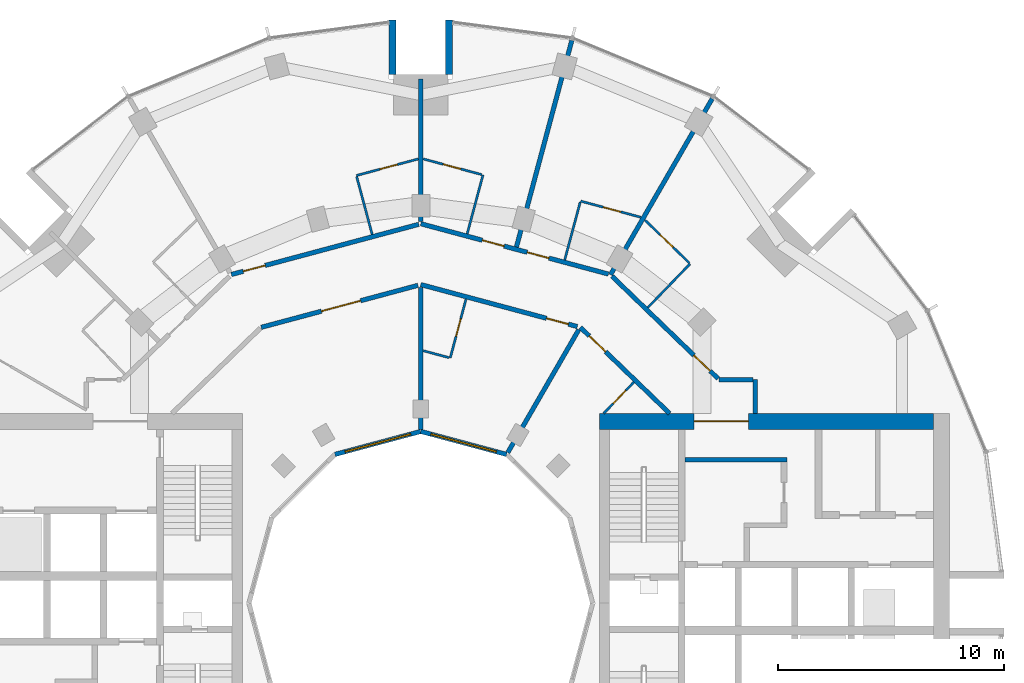
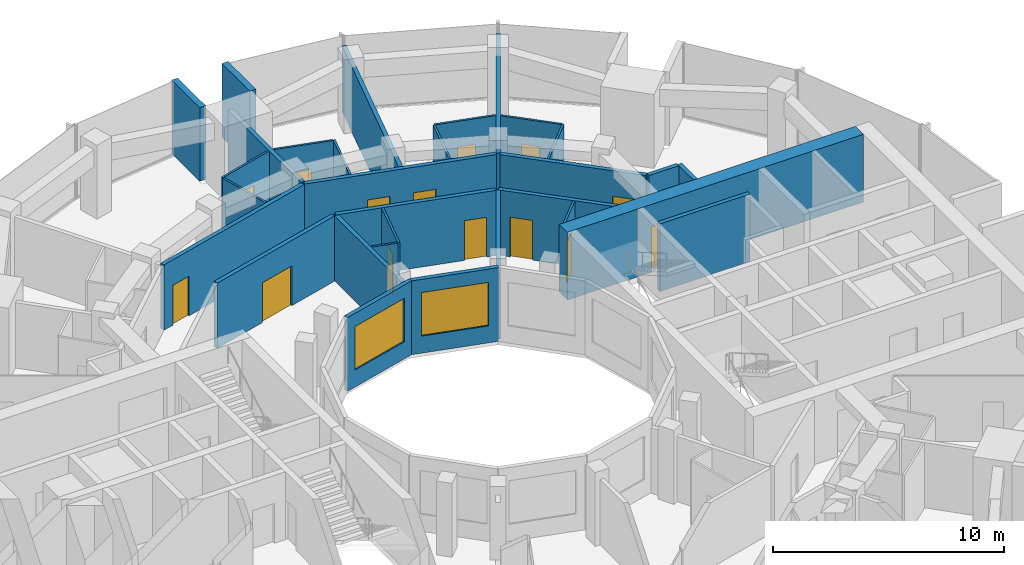
# One storey, part 12 of 15: 30 walls, 14 doors, 2 windows, 16 openings.
"""IFC4 building model written with IfcOpenShell, lengths in metres."""

from ifc_helpers import new_model, si_unit, direction, frame, frame_2d, origin, place, context, subcontext, project, spatial, rectangle, extrude, material, layer, layer_set, type_object, element, fill, save


model = new_model("IFC4")

# Units and contexts
model_context = context("Model", 3, precision=1e-05, world=origin(), true_north=direction((0.0, 1.0)))
body_context = subcontext(model_context, "Body", "Model", "MODEL_VIEW")
ifc_project = project(units=[si_unit("LENGTHUNIT", "METRE"), si_unit("AREAUNIT", "SQUARE_METRE"), si_unit("VOLUMEUNIT", "CUBIC_METRE"), si_unit("PLANEANGLEUNIT", "RADIAN"), si_unit("MASSUNIT", "GRAM", prefix="KILO")], contexts=[model_context])

# Site, building, storey
site_placement = place(None, origin())
site = spatial("IfcSite", under=ifc_project, at=site_placement, CompositionType="ELEMENT")
building_placement = place(site_placement, origin())
building = spatial("IfcBuilding", under=site, at=building_placement, Name="Torre Brocal", CompositionType="ELEMENT")
storey_placement = place(building_placement, frame((0.0, 0.0, 122.39990234375)))
storey = spatial("IfcBuildingStorey", under=building, at=storey_placement, Name="L28", CompositionType="ELEMENT", Elevation=122.39990234375)

# Wall
ifc_material_1 = material(Name="Concrete C70", Category="concrete")
ifc_layer_1 = layer(ifc_material_1, 0.199951171875)
ifc_layer_set_1 = layer_set([ifc_layer_1], Name="Concrete C70")
wall_type_1 = type_object("IfcWallType", Name="CORE WALL 200 C70", PredefinedType="SHEAR", material=ifc_layer_set_1)
wall_1_placement = place(storey_placement, frame((91.699951171875, 81.35009765625, 0.0), z_axis=(0.0, 0.0, 1.0), x_axis=(1.0, 0.0, 0.0)))
element("IfcWall", 1, at=wall_1_placement, inside=storey, type_object=wall_type_1, Name="Wall CW200-70", PredefinedType="SHEAR", context=body_context, shape_type="SweptSolid", body=[
    extrude(rectangle(XDim=4.5, YDim=0.199951171875, at=frame_2d((2.25, 0.0))), origin(), (0.0, 0.0, 1.0), 3.580078125),
])

# Wall, opening, door
ifc_material_2 = material(Name="Concrete C70", Category="concrete")
ifc_layer_2 = layer(ifc_material_2, 0.699951171875)
ifc_layer_set_2 = layer_set([ifc_layer_2], Name="Concrete C70")
wall_type_2 = type_object("IfcWallType", Name="CORE WALL 700 C70", PredefinedType="SHEAR", material=ifc_layer_set_2)
wall_2_placement = place(storey_placement, frame((87.89990234375, 83.050048828125, 0.0), z_axis=(0.0, 0.0, 1.0), x_axis=(1.0, 0.0, 0.0)))
wall_2 = element("IfcWall", 2, at=wall_2_placement, inside=storey, type_object=wall_type_2, Name="Wall CW700-70", PredefinedType="SHEAR", context=body_context, shape_type="SweptSolid", body=[
    extrude(rectangle(XDim=14.800048828125, YDim=0.699951171875, at=frame_2d((7.39990234375, 0.0))), origin(), (0.0, 0.0, 1.0), 3.580078125),
])
opening_1_placement = place(wall_2_placement, frame((4.199951171875, 0.0, 0.0)))
opening_1 = element("IfcOpeningElement", 3, at=opening_1_placement, cuts=wall_2, Name="Opening E-D24", PredefinedType="OPENING", context=body_context, shape_type="SweptSolid", body=[
    extrude(rectangle(XDim=2.39990234375, YDim=2.39990234375, at=frame_2d((1.199951171875, 1.199951171875))), frame((0.0, 0.35986328125, 0.0), z_axis=(0.0, -1.0, 0.0), x_axis=(1.0, 0.0, 0.0)), (0.0, 0.0, 1.0), 0.719970703125),
])
ifc_material_3 = material(Name="Steel A653", Category="steel")
door_type_1 = type_object("IfcDoorType", Name="DOUBLE FIRE DOOR FD90 2400X2400", OperationType="DOUBLE_DOOR_SINGLE_SWING", PredefinedType="DOOR", material=ifc_material_3)
door_1_placement = place(opening_1_placement, frame((2.39990234375, 0.0, 0.0), z_axis=(0.0, 0.0, 1.0), x_axis=(-1.0, 0.0, 0.0)))
door_1 = element("IfcDoor", 4, at=door_1_placement, inside=storey, type_object=door_type_1, Name="Door E-D24", OperationType="DOUBLE_DOOR_SINGLE_SWING", OverallHeight=2.39990234375, OverallWidth=2.39990234375, PredefinedType="DOOR", context=body_context, shape_type="SweptSolid", body=[
    extrude(rectangle(XDim=2.39990234375, YDim=2.39990234375, at=frame_2d((1.199951171875, 1.199951171875))), frame((0.0, 0.02490234375, 0.0), z_axis=(0.0, -1.0, 0.0), x_axis=(1.0, 0.0, 0.0)), (0.0, 0.0, 1.0), 0.050048828125),
])
fill(opening_1, door_1)

# Walls
ifc_material_4 = material(Name="Concrete C70", Category="concrete")
ifc_layer_3 = layer(ifc_material_4, 0.300048828125)
ifc_layer_set_3 = layer_set([ifc_layer_3], Name="Concrete C70")
wall_type_3 = type_object("IfcWallType", Name="NOTCH RETURN WALL 300 C70", PredefinedType="NOTDEFINED", material=ifc_layer_set_3)
for number, where, z_axis, x_axis, name in (
    (5, (81.25, 98.39990234375, 0.0), (0.0, 0.0, 1.0), (0.0, 1.0, 0.0), "NOTCH RETURN WALL"),
    (6, (78.75, 98.39990234375, 0.0), (0.0, 0.0, 1.0), (0.0, 1.0, 0.0), "NOTCH RETURN WALL"),
):
    element("IfcWall", number, at=place(storey_placement, frame(where, z_axis=z_axis, x_axis=x_axis)), inside=storey, type_object=wall_type_3, Name=name, PredefinedType="NOTDEFINED", context=body_context, shape_type="SweptSolid", body=[
        extrude(rectangle(XDim=2.415771484375, YDim=0.300048828125, at=frame_2d((1.2080078125, 0.0))), origin(), (0.0, 0.0, 1.0), 3.900146484375),
    ])
ifc_material_5 = material(Name="Gypsum board", Category="Gypsum")
ifc_layer_4 = layer(ifc_material_5, 0.10009765625)
ifc_layer_set_4 = layer_set([ifc_layer_4], Name="Gypsum board")
wall_type_4 = type_object("IfcWallType", Name="PARTITION 100", PredefinedType="PARTITIONING", material=ifc_layer_set_4)
wall_3_placement = place(storey_placement, frame((77.161865234375, 93.8828125, 0.0), z_axis=(0.0, 0.0, 1.0), x_axis=(0.258998589493, -0.965877699629, 0.0)))
element("IfcWall", 7, at=wall_3_placement, inside=storey, type_object=wall_type_4, Name="BATHROOM WALL", PredefinedType="PARTITIONING", context=body_context, shape_type="SweptSolid", body=[
    extrude(rectangle(XDim=2.649658203125, YDim=0.10009765625, at=frame_2d((1.32470703125, 0.0))), origin(), (0.0, 0.0, 1.0), 3.4501953125),
])

# Wall, opening, door
wall_4_placement = place(storey_placement, frame((77.14892578125, 93.930908203125, 0.0), z_axis=(0.0, 0.0, 1.0), x_axis=(0.965916219953, 0.258854893776, 0.0)))
wall_4 = element("IfcWall", 8, at=wall_4_placement, inside=storey, type_object=wall_type_4, Name="BATHROOM WALL", PredefinedType="PARTITIONING", context=body_context, shape_type="SweptSolid", body=[
    extrude(rectangle(XDim=2.841796875, YDim=0.10009765625, at=frame_2d((1.4208984375, 0.0))), origin(), (0.0, 0.0, 1.0), 3.4501953125),
])
opening_2_placement = place(wall_4_placement, frame((1.07568359375, 0.0, 0.0)))
opening_2 = element("IfcOpeningElement", 9, at=opening_2_placement, cuts=wall_4, Name="Opening E01-D08", PredefinedType="OPENING", context=body_context, shape_type="SweptSolid", body=[
    extrude(rectangle(XDim=0.800048828125, YDim=2.10009765625, at=frame_2d((0.39990234375, 1.050048828125))), frame((0.0, 0.06005859375, 0.0), z_axis=(0.0, -1.0, 0.0), x_axis=(1.0, 0.0, 0.0)), (0.0, 0.0, 1.0), 0.1201171875),
])
ifc_material_6 = material(Name="Timber", Category="wood")
door_type_2 = type_object("IfcDoorType", Name="BATHROOM DOOR 800X2100", OperationType="SINGLE_SWING_LEFT", PredefinedType="DOOR", material=ifc_material_6)
door_2_placement = place(opening_2_placement, frame((0.800048828125, 0.0, 0.0), z_axis=(0.0, 0.0, 1.0), x_axis=(-1.0, 0.0, 0.0)))
door_2 = element("IfcDoor", 10, at=door_2_placement, inside=storey, type_object=door_type_2, Name="E01-D08", OperationType="SINGLE_SWING_LEFT", OverallHeight=2.10009765625, OverallWidth=0.800048828125, PredefinedType="DOOR", context=body_context, shape_type="SweptSolid", body=[
    extrude(rectangle(XDim=0.800048828125, YDim=2.10009765625, at=frame_2d((0.39990234375, 1.050048828125))), frame((0.0, 0.02490234375, 0.0), z_axis=(0.0, -1.0, 0.0), x_axis=(1.0, 0.0, 0.0)), (0.0, 0.0, 1.0), 0.050048828125),
])
fill(opening_2, door_2)

# Wall
wall_5_placement = place(storey_placement, frame((80.106201171875, 86.176513671875, 0.0), z_axis=(0.0, 0.0, 1.0), x_axis=(0.966002973184, -0.258530957139, 0.0)))
element("IfcWall", 11, at=wall_5_placement, inside=storey, type_object=wall_type_4, Name="BATHROOM WALL", PredefinedType="PARTITIONING", context=body_context, shape_type="SweptSolid", body=[
    extrude(rectangle(XDim=1.18994140625, YDim=0.10009765625, at=frame_2d((0.594970703125, 0.0))), origin(), (0.0, 0.0, 1.0), 3.4501953125),
])

# Wall, opening, door
wall_6_placement = place(storey_placement, frame((80.106201171875, 94.666748046875, 0.0), z_axis=(0.0, 0.0, 1.0), x_axis=(0.965904298007, -0.258899376382, 0.0)))
wall_6 = element("IfcWall", 12, at=wall_6_placement, inside=storey, type_object=wall_type_4, Name="BATHROOM WALL", PredefinedType="PARTITIONING", context=body_context, shape_type="SweptSolid", body=[
    extrude(rectangle(XDim=2.6904296875, YDim=0.10009765625, at=frame_2d((1.34521484375, 0.0))), origin(), (0.0, 0.0, 1.0), 3.4501953125),
])
opening_3_placement = place(wall_6_placement, frame((0.9150390625, 0.0, 0.0)))
opening_3 = element("IfcOpeningElement", 13, at=opening_3_placement, cuts=wall_6, Name="Opening E01-D06", PredefinedType="OPENING", context=body_context, shape_type="SweptSolid", body=[
    extrude(rectangle(XDim=0.800048828125, YDim=2.10009765625, at=frame_2d((0.39990234375, 1.050048828125))), frame((0.0, 0.06005859375, 0.0), z_axis=(0.0, -1.0, 0.0), x_axis=(1.0, 0.0, 0.0)), (0.0, 0.0, 1.0), 0.1201171875),
])
door_3_placement = place(opening_3_placement, frame((0.800048828125, 0.0, 0.0), z_axis=(0.0, 0.0, 1.0), x_axis=(-1.0, 0.0, 0.0)))
door_3 = element("IfcDoor", 14, at=door_3_placement, inside=storey, type_object=door_type_2, Name="E01-D06", OperationType="SINGLE_SWING_RIGHT", OverallHeight=2.10009765625, OverallWidth=0.800048828125, PredefinedType="DOOR", context=body_context, shape_type="SweptSolid", body=[
    extrude(rectangle(XDim=0.800048828125, YDim=2.10009765625, at=frame_2d((0.39990234375, 1.050048828125))), frame((0.0, 0.02490234375, 0.0), z_axis=(0.0, -1.0, 0.0), x_axis=(1.0, 0.0, 0.0)), (0.0, 0.0, 1.0), 0.050048828125),
])
fill(opening_3, door_3)

wall_7_placement = place(storey_placement, frame((81.303955078125, 85.85595703125, 0.0), z_axis=(0.0, 0.0, 1.0), x_axis=(0.25867580527, 0.965964195904, 0.0)))
wall_7 = element("IfcWall", 15, at=wall_7_placement, inside=storey, type_object=wall_type_4, Name="BATHROOM WALL", PredefinedType="PARTITIONING", context=body_context, shape_type="SweptSolid", body=[
    extrude(rectangle(XDim=2.69921875, YDim=0.10009765625, at=frame_2d((1.349609375, 0.0))), origin(), (0.0, 0.0, 1.0), 3.4501953125),
])
opening_4_placement = place(wall_7_placement, frame((0.99951171875, 0.0, 0.0)))
opening_4 = element("IfcOpeningElement", 16, at=opening_4_placement, cuts=wall_7, Name="Opening E01-D17", PredefinedType="OPENING", context=body_context, shape_type="SweptSolid", body=[
    extrude(rectangle(XDim=0.800048828125, YDim=2.10009765625, at=frame_2d((0.39990234375, 1.050048828125))), frame((0.0, 0.06005859375, 0.0), z_axis=(0.0, -1.0, 0.0), x_axis=(1.0, 0.0, 0.0)), (0.0, 0.0, 1.0), 0.1201171875),
])
door_4_placement = place(opening_4_placement, origin())
door_4 = element("IfcDoor", 17, at=door_4_placement, inside=storey, type_object=door_type_2, Name="E01-D17", OperationType="SINGLE_SWING_RIGHT", OverallHeight=2.10009765625, OverallWidth=0.800048828125, PredefinedType="DOOR", context=body_context, shape_type="SweptSolid", body=[
    extrude(rectangle(XDim=0.800048828125, YDim=2.10009765625, at=frame_2d((0.39990234375, 1.050048828125))), frame((0.0, 0.02490234375, 0.0), z_axis=(0.0, -1.0, 0.0), x_axis=(1.0, 0.0, 0.0)), (0.0, 0.0, 1.0), 0.050048828125),
])
fill(opening_4, door_4)

# Walls
wall_8_placement = place(storey_placement, frame((82.053955078125, 91.349609375, 0.0), z_axis=(0.0, 0.0, 1.0), x_axis=(0.258928960762, 0.965896367774, 0.0)))
element("IfcWall", 18, at=wall_8_placement, inside=storey, type_object=wall_type_4, Name="BATHROOM WALL", PredefinedType="PARTITIONING", context=body_context, shape_type="SweptSolid", body=[
    extrude(rectangle(XDim=2.699462890625, YDim=0.10009765625, at=frame_2d((1.349609375, 0.0))), origin(), (0.0, 0.0, 1.0), 3.4501953125),
])
wall_9_placement = place(storey_placement, frame((86.3701171875, 90.193359375, 0.0), z_axis=(0.0, 0.0, 1.0), x_axis=(0.259044695829, 0.965865335108, 0.0)))
element("IfcWall", 19, at=wall_9_placement, inside=storey, type_object=wall_type_4, Name="BATHROOM WALL", PredefinedType="PARTITIONING", context=body_context, shape_type="SweptSolid", body=[
    extrude(rectangle(XDim=2.649169921875, YDim=0.10009765625, at=frame_2d((1.32470703125, 0.0))), origin(), (0.0, 0.0, 1.0), 3.4501953125),
])

# Wall, opening, door
wall_10_placement = place(storey_placement, frame((87.081787109375, 92.796875, 0.0), z_axis=(0.0, 0.0, 1.0), x_axis=(0.965892621415, -0.258942935598, 0.0)))
wall_10 = element("IfcWall", 20, at=wall_10_placement, inside=storey, type_object=wall_type_4, Name="BATHROOM WALL", PredefinedType="PARTITIONING", context=body_context, shape_type="SweptSolid", body=[
    extrude(rectangle(XDim=2.753173828125, YDim=0.10009765625, at=frame_2d((1.37646484375, 0.0))), origin(), (0.0, 0.0, 1.0), 3.4501953125),
])
opening_5_placement = place(wall_10_placement, frame((1.03173828125, 0.0, 0.0)))
opening_5 = element("IfcOpeningElement", 21, at=opening_5_placement, cuts=wall_10, Name="Opening E01-D04", PredefinedType="OPENING", context=body_context, shape_type="SweptSolid", body=[
    extrude(rectangle(XDim=0.800048828125, YDim=2.10009765625, at=frame_2d((0.39990234375, 1.050048828125))), frame((0.0, 0.06005859375, 0.0), z_axis=(0.0, -1.0, 0.0), x_axis=(1.0, 0.0, 0.0)), (0.0, 0.0, 1.0), 0.1201171875),
])
door_5_placement = place(opening_5_placement, frame((0.800048828125, 0.0, 0.0), z_axis=(0.0, 0.0, 1.0), x_axis=(-1.0, 0.0, 0.0)))
door_5 = element("IfcDoor", 22, at=door_5_placement, inside=storey, type_object=door_type_2, Name="E01-D04", OperationType="SINGLE_SWING_LEFT", OverallHeight=2.10009765625, OverallWidth=0.800048828125, PredefinedType="DOOR", context=body_context, shape_type="SweptSolid", body=[
    extrude(rectangle(XDim=0.800048828125, YDim=2.10009765625, at=frame_2d((0.39990234375, 1.050048828125))), frame((0.0, 0.02490234375, 0.0), z_axis=(0.0, -1.0, 0.0), x_axis=(1.0, 0.0, 0.0)), (0.0, 0.0, 1.0), 0.050048828125),
])
fill(opening_5, door_5)

wall_11_placement = place(storey_placement, frame((88.094970703125, 83.39990234375, 0.0), z_axis=(0.0, 0.0, 1.0), x_axis=(0.694447472534, 0.719543402368, 0.0)))
wall_11 = element("IfcWall", 23, at=wall_11_placement, inside=storey, type_object=wall_type_4, Name="BATHROOM WALL", PredefinedType="PARTITIONING", context=body_context, shape_type="SweptSolid", body=[
    extrude(rectangle(XDim=1.92626953125, YDim=0.10009765625, at=frame_2d((0.963134765625, 0.0))), origin(), (0.0, 0.0, 1.0), 3.4501953125),
])
opening_6_placement = place(wall_11_placement, frame((0.613037109375, 0.0, 0.0)))
opening_6 = element("IfcOpeningElement", 24, at=opening_6_placement, cuts=wall_11, Name="Opening E01-D15", PredefinedType="OPENING", context=body_context, shape_type="SweptSolid", body=[
    extrude(rectangle(XDim=0.800048828125, YDim=2.10009765625, at=frame_2d((0.39990234375, 1.050048828125))), frame((0.0, 0.06005859375, 0.0), z_axis=(0.0, -1.0, 0.0), x_axis=(1.0, 0.0, 0.0)), (0.0, 0.0, 1.0), 0.1201171875),
])
door_6_placement = place(opening_6_placement, frame((0.800048828125, 0.0, 0.0), z_axis=(0.0, 0.0, 1.0), x_axis=(-1.0, 0.0, 0.0)))
door_6 = element("IfcDoor", 25, at=door_6_placement, inside=storey, type_object=door_type_2, Name="E01-D15", OperationType="SINGLE_SWING_LEFT", OverallHeight=2.10009765625, OverallWidth=0.800048828125, PredefinedType="DOOR", context=body_context, shape_type="SweptSolid", body=[
    extrude(rectangle(XDim=0.800048828125, YDim=2.10009765625, at=frame_2d((0.39990234375, 1.050048828125))), frame((0.0, 0.02490234375, 0.0), z_axis=(0.0, -1.0, 0.0), x_axis=(1.0, 0.0, 0.0)), (0.0, 0.0, 1.0), 0.050048828125),
])
fill(opening_6, door_6)

wall_12_placement = place(storey_placement, frame((89.9248046875, 91.956298828125, 0.0), z_axis=(0.0, 0.0, 1.0), x_axis=(0.719395291255, -0.694600903339, 0.0)))
wall_12 = element("IfcWall", 26, at=wall_12_placement, inside=storey, type_object=wall_type_4, Name="BATHROOM WALL", PredefinedType="PARTITIONING", context=body_context, shape_type="SweptSolid", body=[
    extrude(rectangle(XDim=2.7275390625, YDim=0.10009765625, at=frame_2d((1.36376953125, 0.0))), origin(), (0.0, 0.0, 1.0), 3.4501953125),
])
opening_7_placement = place(wall_12_placement, frame((0.928466796875, 0.0, 0.0)))
opening_7 = element("IfcOpeningElement", 27, at=opening_7_placement, cuts=wall_12, Name="Opening E01-D02", PredefinedType="OPENING", context=body_context, shape_type="SweptSolid", body=[
    extrude(rectangle(XDim=0.800048828125, YDim=2.10009765625, at=frame_2d((0.39990234375, 1.050048828125))), frame((0.0, 0.06005859375, 0.0), z_axis=(0.0, -1.0, 0.0), x_axis=(1.0, 0.0, 0.0)), (0.0, 0.0, 1.0), 0.1201171875),
])
door_7_placement = place(opening_7_placement, frame((0.800048828125, 0.0, 0.0), z_axis=(0.0, 0.0, 1.0), x_axis=(-1.0, 0.0, 0.0)))
door_7 = element("IfcDoor", 28, at=door_7_placement, inside=storey, type_object=door_type_2, Name="E01-D02", OperationType="SINGLE_SWING_RIGHT", OverallHeight=2.10009765625, OverallWidth=0.800048828125, PredefinedType="DOOR", context=body_context, shape_type="SweptSolid", body=[
    extrude(rectangle(XDim=0.800048828125, YDim=2.10009765625, at=frame_2d((0.39990234375, 1.050048828125))), frame((0.0, 0.02490234375, 0.0), z_axis=(0.0, -1.0, 0.0), x_axis=(1.0, 0.0, 0.0)), (0.0, 0.0, 1.0), 0.050048828125),
])
fill(opening_7, door_7)

# Wall
wall_13_placement = place(storey_placement, frame((90.047607421875, 88.0849609375, 0.0), z_axis=(0.0, 0.0, 1.0), x_axis=(0.694655834207, 0.71934224956, 0.0)))
element("IfcWall", 29, at=wall_13_placement, inside=storey, type_object=wall_type_4, Name="BATHROOM WALL", PredefinedType="PARTITIONING", context=body_context, shape_type="SweptSolid", body=[
    extrude(rectangle(XDim=2.699951171875, YDim=0.10009765625, at=frame_2d((1.35009765625, 0.0))), origin(), (0.0, 0.0, 1.0), 3.4501953125),
])

# Wall, opening, door
ifc_material_7 = material(Name="Gypsum board", Category="Gypsum")
ifc_layer_5 = layer(ifc_material_7, 0.199951171875)
ifc_layer_set_5 = layer_set([ifc_layer_5], Name="Gypsum board")
wall_type_5 = type_object("IfcWallType", Name="PARTITION 200 EI60", PredefinedType="PARTITIONING", material=ifc_layer_set_5)
wall_14_placement = place(storey_placement, frame((71.61376953125, 89.549560546875, 0.0), z_axis=(0.0, 0.0, 1.0), x_axis=(0.965967958589, 0.258661753994, 0.0)))
wall_14 = element("IfcWall", 30, at=wall_14_placement, inside=storey, type_object=wall_type_5, Name="GUESTROOM CORRIDOR WALL", PredefinedType="PARTITIONING", context=body_context, shape_type="SweptSolid", body=[
    extrude(rectangle(XDim=8.592041015625, YDim=0.199951171875, at=frame_2d((4.2958984375, 0.0))), origin(), (0.0, 0.0, 1.0), 3.4501953125),
])
opening_8_placement = place(wall_14_placement, frame((0.550048828125, 0.0, 0.0)))
opening_8 = element("IfcOpeningElement", 31, at=opening_8_placement, cuts=wall_14, Name="Opening E01-D07", PredefinedType="OPENING", context=body_context, shape_type="SweptSolid", body=[
    extrude(rectangle(XDim=1.0, YDim=2.10009765625, at=frame_2d((0.5, 1.050048828125))), frame((0.0, 0.10986328125, 0.0), z_axis=(0.0, -1.0, 0.0), x_axis=(1.0, 0.0, 0.0)), (0.0, 0.0, 1.0), 0.219970703125),
])
ifc_material_8 = material(Name="Timber", Category="wood")
door_type_3 = type_object("IfcDoorType", Name="FLAT ENTRY DOOR FD30S 1000X2100", OperationType="SINGLE_SWING_RIGHT", PredefinedType="DOOR", material=ifc_material_8)
door_8_placement = place(opening_8_placement, origin())
door_8 = element("IfcDoor", 32, at=door_8_placement, inside=storey, type_object=door_type_3, Name="E01-D07", OperationType="SINGLE_SWING_LEFT", OverallHeight=2.10009765625, OverallWidth=1.0, PredefinedType="DOOR", context=body_context, shape_type="SweptSolid", body=[
    extrude(rectangle(XDim=1.0, YDim=2.10009765625, at=frame_2d((0.5, 1.050048828125))), frame((0.0, 0.02490234375, 0.0), z_axis=(0.0, -1.0, 0.0), x_axis=(1.0, 0.0, 0.0)), (0.0, 0.0, 1.0), 0.050048828125),
])
fill(opening_8, door_8)

wall_15_placement = place(storey_placement, frame((72.93603515625, 87.2109375, 0.0), z_axis=(0.0, 0.0, 1.0), x_axis=(0.965917703859, 0.258849356521, 0.0)))
wall_15 = element("IfcWall", 33, at=wall_15_placement, inside=storey, type_object=wall_type_5, Name="GUESTROOM CORRIDOR WALL", PredefinedType="PARTITIONING", context=body_context, shape_type="SweptSolid", body=[
    extrude(rectangle(XDim=7.182373046875, YDim=0.199951171875, at=frame_2d((3.59130859375, 0.0))), origin(), (0.0, 0.0, 1.0), 3.4501953125),
])
opening_9_placement = place(wall_15_placement, frame((2.756591796875, 0.0, 0.0)))
opening_9 = element("IfcOpeningElement", 34, at=opening_9_placement, cuts=wall_15, Name="Opening E01-D18", PredefinedType="OPENING", context=body_context, shape_type="SweptSolid", body=[
    extrude(rectangle(XDim=1.800048828125, YDim=2.10009765625, at=frame_2d((0.89990234375, 1.050048828125))), frame((0.0, 0.10986328125, 0.0), z_axis=(0.0, -1.0, 0.0), x_axis=(1.0, 0.0, 0.0)), (0.0, 0.0, 1.0), 0.219970703125),
])
ifc_material_9 = material(Name="Timber", Category="wood")
door_type_4 = type_object("IfcDoorType", Name="DOUBLE DOOR 1800X2100", OperationType="DOUBLE_DOOR_SINGLE_SWING", PredefinedType="DOOR", material=ifc_material_9)
door_9_placement = place(opening_9_placement, frame((1.800048828125, 0.0, 0.0), z_axis=(0.0, 0.0, 1.0), x_axis=(-1.0, 0.0, 0.0)))
door_9 = element("IfcDoor", 35, at=door_9_placement, inside=storey, type_object=door_type_4, Name="E01-D18", OperationType="DOUBLE_DOOR_SINGLE_SWING", OverallHeight=2.10009765625, OverallWidth=1.800048828125, PredefinedType="DOOR", context=body_context, shape_type="SweptSolid", body=[
    extrude(rectangle(XDim=1.800048828125, YDim=2.10009765625, at=frame_2d((0.89990234375, 1.050048828125))), frame((0.0, 0.02490234375, 0.0), z_axis=(0.0, -1.0, 0.0), x_axis=(1.0, 0.0, 0.0)), (0.0, 0.0, 1.0), 0.050048828125),
])
fill(opening_9, door_9)

# Wall
wall_16_placement = place(storey_placement, frame((80.0, 82.699951171875, 0.0), z_axis=(0.0, 0.0, 1.0), x_axis=(0.0, 1.0, 0.0)))
element("IfcWall", 36, at=wall_16_placement, inside=storey, type_object=wall_type_5, Name="BATHROOM WALL", PredefinedType="PARTITIONING", context=body_context, shape_type="SweptSolid", body=[
    extrude(rectangle(XDim=6.27294921875, YDim=0.199951171875, at=frame_2d((3.136474609375, 0.0))), origin(), (0.0, 0.0, 1.0), 3.4501953125),
])

# Wall, opening, door
wall_17_placement = place(storey_placement, frame((80.0, 89.10400390625, 0.0), z_axis=(0.0, 0.0, 1.0), x_axis=(0.965856548257, -0.259077455964, 0.0)))
wall_17 = element("IfcWall", 37, at=wall_17_placement, inside=storey, type_object=wall_type_5, Name="GUESTROOM CORRIDOR WALL", PredefinedType="PARTITIONING", context=body_context, shape_type="SweptSolid", body=[
    extrude(rectangle(XDim=7.173095703125, YDim=0.199951171875, at=frame_2d((3.58642578125, 0.0))), origin(), (0.0, 0.0, 1.0), 3.4501953125),
])
opening_10_placement = place(wall_17_placement, frame((5.76318359375, 0.0, 0.0)))
opening_10 = element("IfcOpeningElement", 38, at=opening_10_placement, cuts=wall_17, Name="Opening E01-D16", PredefinedType="OPENING", context=body_context, shape_type="SweptSolid", body=[
    extrude(rectangle(XDim=1.0, YDim=2.10009765625, at=frame_2d((0.5, 1.050048828125))), frame((0.0, 0.10986328125, 0.0), z_axis=(0.0, -1.0, 0.0), x_axis=(1.0, 0.0, 0.0)), (0.0, 0.0, 1.0), 0.219970703125),
])
door_10_placement = place(opening_10_placement, frame((1.0, 0.0, 0.0), z_axis=(0.0, 0.0, 1.0), x_axis=(-1.0, 0.0, 0.0)))
door_10 = element("IfcDoor", 39, at=door_10_placement, inside=storey, type_object=door_type_3, Name="E01-D16", OperationType="SINGLE_SWING_LEFT", OverallHeight=2.10009765625, OverallWidth=1.0, PredefinedType="DOOR", context=body_context, shape_type="SweptSolid", body=[
    extrude(rectangle(XDim=1.0, YDim=2.10009765625, at=frame_2d((0.5, 1.050048828125))), frame((0.0, 0.02490234375, 0.0), z_axis=(0.0, -1.0, 0.0), x_axis=(1.0, 0.0, 0.0)), (0.0, 0.0, 1.0), 0.050048828125),
])
fill(opening_10, door_10)

# Wall
wall_18_placement = place(storey_placement, frame((80.0, 91.886962890625, 0.0), z_axis=(0.0, 0.0, 1.0), x_axis=(0.0, 1.0, 0.0)))
element("IfcWall", 40, at=wall_18_placement, inside=storey, type_object=wall_type_5, Name="BATHROOM WALL", PredefinedType="PARTITIONING", context=body_context, shape_type="SweptSolid", body=[
    extrude(rectangle(XDim=6.31201171875, YDim=0.199951171875, at=frame_2d((3.156005859375, 0.0))), origin(), (0.0, 0.0, 1.0), 3.4501953125),
])

# Wall, openings, doors
wall_19_placement = place(storey_placement, frame((80.000244140625, 91.796875, 0.0), z_axis=(0.0, 0.0, 1.0), x_axis=(0.965857042792, -0.259075612301, 0.0)))
wall_19 = element("IfcWall", 41, at=wall_19_placement, inside=storey, type_object=wall_type_5, Name="GUESTROOM CORRIDOR WALL", PredefinedType="PARTITIONING", context=body_context, shape_type="SweptSolid", body=[
    extrude(rectangle(XDim=8.601806640625, YDim=0.199951171875, at=frame_2d((4.30078125, 0.0))), origin(), (0.0, 0.0, 1.0), 3.4501953125),
])
opening_11_placement = place(wall_19_placement, frame((4.87744140625, 0.0, 0.0)))
opening_11 = element("IfcOpeningElement", 42, at=opening_11_placement, cuts=wall_19, Name="Opening E01-D03", PredefinedType="OPENING", context=body_context, shape_type="SweptSolid", body=[
    extrude(rectangle(XDim=1.0, YDim=2.10009765625, at=frame_2d((0.5, 1.050048828125))), frame((0.0, 0.10986328125, 0.0), z_axis=(0.0, -1.0, 0.0), x_axis=(1.0, 0.0, 0.0)), (0.0, 0.0, 1.0), 0.219970703125),
])
opening_12_placement = place(wall_19_placement, frame((2.816650390625, 0.0, 0.0)))
opening_12 = element("IfcOpeningElement", 43, at=opening_12_placement, cuts=wall_19, Name="Opening E01-D05", PredefinedType="OPENING", context=body_context, shape_type="SweptSolid", body=[
    extrude(rectangle(XDim=1.0, YDim=2.10009765625, at=frame_2d((0.5, 1.050048828125))), frame((0.0, 0.10986328125, 0.0), z_axis=(0.0, -1.0, 0.0), x_axis=(1.0, 0.0, 0.0)), (0.0, 0.0, 1.0), 0.219970703125),
])
door_11_placement = place(opening_11_placement, origin())
door_11 = element("IfcDoor", 44, at=door_11_placement, inside=storey, type_object=door_type_3, Name="E01-D03", OperationType="SINGLE_SWING_LEFT", OverallHeight=2.10009765625, OverallWidth=1.0, PredefinedType="DOOR", context=body_context, shape_type="SweptSolid", body=[
    extrude(rectangle(XDim=1.0, YDim=2.10009765625, at=frame_2d((0.5, 1.050048828125))), frame((0.0, 0.02490234375, 0.0), z_axis=(0.0, -1.0, 0.0), x_axis=(1.0, 0.0, 0.0)), (0.0, 0.0, 1.0), 0.050048828125),
])
fill(opening_11, door_11)
door_12_placement = place(opening_12_placement, origin())
door_12 = element("IfcDoor", 45, at=door_12_placement, inside=storey, type_object=door_type_3, Name="E01-D05", OperationType="SINGLE_SWING_RIGHT", OverallHeight=2.10009765625, OverallWidth=1.0, PredefinedType="DOOR", context=body_context, shape_type="SweptSolid", body=[
    extrude(rectangle(XDim=1.0, YDim=2.10009765625, at=frame_2d((0.5, 1.050048828125))), frame((0.0, 0.02490234375, 0.0), z_axis=(0.0, -1.0, 0.0), x_axis=(1.0, 0.0, 0.0)), (0.0, 0.0, 1.0), 0.050048828125),
])
fill(opening_12, door_12)

# Walls
wall_20_placement = place(storey_placement, frame((83.849853515625, 81.66650390625, 0.0), z_axis=(0.0, 0.0, 1.0), x_axis=(0.500224530691, 0.865895732115, 0.0)))
element("IfcWall", 46, at=wall_20_placement, inside=storey, type_object=wall_type_5, Name="PARTY PARTITION", PredefinedType="PARTITIONING", context=body_context, shape_type="SweptSolid", body=[
    extrude(rectangle(XDim=6.28515625, YDim=0.199951171875, at=frame_2d((3.142578125, 0.0))), origin(), (0.0, 0.0, 1.0), 3.4501953125),
])
wall_21_placement = place(storey_placement, frame((84.23291015625, 90.765380859375, 0.0), z_axis=(0.0, 0.0, 1.0), x_axis=(0.259046484815, 0.965864855301, 0.0)))
element("IfcWall", 47, at=wall_21_placement, inside=storey, type_object=wall_type_5, Name="PARTY PARTITION", PredefinedType="PARTITIONING", context=body_context, shape_type="SweptSolid", body=[
    extrude(rectangle(XDim=9.474609375, YDim=0.199951171875, at=frame_2d((4.7373046875, 0.0))), origin(), (0.0, 0.0, 1.0), 3.4501953125),
])

# Wall, opening, door
wall_22_placement = place(storey_placement, frame((87.06396484375, 87.2109375, 0.0), z_axis=(0.0, 0.0, 1.0), x_axis=(0.719540958932, -0.694450004262, 0.0)))
wall_22 = element("IfcWall", 48, at=wall_22_placement, inside=storey, type_object=wall_type_5, Name="GUESTROOM CORRIDOR WALL", PredefinedType="PARTITIONING", context=body_context, shape_type="SweptSolid", body=[
    extrude(rectangle(XDim=5.48779296875, YDim=0.199951171875, at=frame_2d((2.743896484375, 0.0))), origin(), (0.0, 0.0, 1.0), 3.4501953125),
])
opening_13_placement = place(wall_22_placement, frame((0.550048828125, 0.0, 0.0)))
opening_13 = element("IfcOpeningElement", 49, at=opening_13_placement, cuts=wall_22, Name="Opening E01-D14", PredefinedType="OPENING", context=body_context, shape_type="SweptSolid", body=[
    extrude(rectangle(XDim=1.0, YDim=2.10009765625, at=frame_2d((0.5, 1.050048828125))), frame((0.0, 0.10986328125, 0.0), z_axis=(0.0, -1.0, 0.0), x_axis=(1.0, 0.0, 0.0)), (0.0, 0.0, 1.0), 0.219970703125),
])
door_13_placement = place(opening_13_placement, frame((1.0, 0.0, 0.0), z_axis=(0.0, 0.0, 1.0), x_axis=(-1.0, 0.0, 0.0)))
door_13 = element("IfcDoor", 50, at=door_13_placement, inside=storey, type_object=door_type_3, Name="E01-D14", OperationType="SINGLE_SWING_RIGHT", OverallHeight=2.10009765625, OverallWidth=1.0, PredefinedType="DOOR", context=body_context, shape_type="SweptSolid", body=[
    extrude(rectangle(XDim=1.0, YDim=2.10009765625, at=frame_2d((0.5, 1.050048828125))), frame((0.0, 0.02490234375, 0.0), z_axis=(0.0, -1.0, 0.0), x_axis=(1.0, 0.0, 0.0)), (0.0, 0.0, 1.0), 0.050048828125),
])
fill(opening_13, door_13)

wall_23_placement = place(storey_placement, frame((88.4658203125, 89.47314453125, 0.0), z_axis=(0.0, 0.0, 1.0), x_axis=(0.719346014649, -0.694651935295, 0.0)))
wall_23 = element("IfcWall", 51, at=wall_23_placement, inside=storey, type_object=wall_type_5, Name="GUESTROOM CORRIDOR WALL", PredefinedType="PARTITIONING", context=body_context, shape_type="SweptSolid", body=[
    extrude(rectangle(XDim=6.525146484375, YDim=0.199951171875, at=frame_2d((3.2626953125, 0.0))), origin(), (0.0, 0.0, 1.0), 3.4501953125),
])
opening_14_placement = place(wall_23_placement, frame((5.034423828125, 0.0, 0.0)))
opening_14 = element("IfcOpeningElement", 52, at=opening_14_placement, cuts=wall_23, Name="Opening E01-D01", PredefinedType="OPENING", context=body_context, shape_type="SweptSolid", body=[
    extrude(rectangle(XDim=1.0, YDim=2.10009765625, at=frame_2d((0.5, 1.050048828125))), frame((0.0, 0.10986328125, 0.0), z_axis=(0.0, -1.0, 0.0), x_axis=(1.0, 0.0, 0.0)), (0.0, 0.0, 1.0), 0.219970703125),
])
door_14_placement = place(opening_14_placement, origin())
door_14 = element("IfcDoor", 53, at=door_14_placement, inside=storey, type_object=door_type_3, Name="E01-D01", OperationType="SINGLE_SWING_RIGHT", OverallHeight=2.10009765625, OverallWidth=1.0, PredefinedType="DOOR", context=body_context, shape_type="SweptSolid", body=[
    extrude(rectangle(XDim=1.0, YDim=2.10009765625, at=frame_2d((0.5, 1.050048828125))), frame((0.0, 0.02490234375, 0.0), z_axis=(0.0, -1.0, 0.0), x_axis=(1.0, 0.0, 0.0)), (0.0, 0.0, 1.0), 0.050048828125),
])
fill(opening_14, door_14)

# Walls
wall_24_placement = place(storey_placement, frame((88.397705078125, 89.539306640625, 0.0), z_axis=(0.0, 0.0, 1.0), x_axis=(0.500217530286, 0.865899776184, 0.0)))
element("IfcWall", 54, at=wall_24_placement, inside=storey, type_object=wall_type_5, Name="BATHROOM WALL", PredefinedType="PARTITIONING", context=body_context, shape_type="SweptSolid", body=[
    extrude(rectangle(XDim=9.00634765625, YDim=0.199951171875, at=frame_2d((4.503173828125, 0.0))), origin(), (0.0, 0.0, 1.0), 3.4501953125),
])
wall_25_placement = place(storey_placement, frame((93.2041015625, 84.89990234375, 0.0), z_axis=(0.0, 0.0, 1.0), x_axis=(1.0, 0.0, 0.0)))
element("IfcWall", 55, at=wall_25_placement, inside=storey, type_object=wall_type_5, Name="GUESTROOM CORRIDOR WALL", PredefinedType="PARTITIONING", context=body_context, shape_type="SweptSolid", body=[
    extrude(rectangle(XDim=1.495849609375, YDim=0.199951171875, at=frame_2d((0.748046875, 0.0))), origin(), (0.0, 0.0, 1.0), 3.4501953125),
])
wall_26_placement = place(storey_placement, frame((94.800048828125, 83.40087890625, 0.0), z_axis=(0.0, 0.0, 1.0), x_axis=(0.0, 1.0, 0.0)))
element("IfcWall", 56, at=wall_26_placement, inside=storey, type_object=wall_type_5, Name="GUESTROOM CORRIDOR WALL", PredefinedType="PARTITIONING", context=body_context, shape_type="SweptSolid", body=[
    extrude(rectangle(XDim=1.4990234375, YDim=0.199951171875, at=frame_2d((0.74951171875, 0.0))), origin(), (0.0, 0.0, 1.0), 3.4501953125),
])

# Wall, opening, window
ifc_material_10 = material(Name="Concrete C40", Category="concrete")
ifc_layer_6 = layer(ifc_material_10, 0.199951171875)
ifc_layer_set_6 = layer_set([ifc_layer_6], Name="Concrete C40")
wall_type_6 = type_object("IfcWallType", Name="WELL FACADE WALL 200", PredefinedType="NOTDEFINED", material=ifc_layer_set_6)
wall_27_placement = place(storey_placement, frame((83.8017578125, 81.5849609375, 0.0), z_axis=(0.0, 0.0, 1.0), x_axis=(-0.965933654434, 0.258789828301, 0.0)))
wall_27 = element("IfcWall", 57, at=wall_27_placement, inside=storey, type_object=wall_type_6, Name="WELL FACADE WALL", PredefinedType="NOTDEFINED", context=body_context, shape_type="SweptSolid", body=[
    extrude(rectangle(XDim=3.935791015625, YDim=0.199951171875, at=frame_2d((1.9677734375, 0.0))), origin(), (0.0, 0.0, 1.0), 3.900146484375),
])
opening_15_placement = place(wall_27_placement, frame((0.468017578125, 0.0, 0.89990234375)))
opening_15 = element("IfcOpeningElement", 58, at=opening_15_placement, cuts=wall_27, Name="Opening W1", PredefinedType="OPENING", context=body_context, shape_type="SweptSolid", body=[
    extrude(rectangle(XDim=3.0, YDim=2.300048828125, at=frame_2d((1.5, 1.14990234375))), frame((0.0, 0.10986328125, 0.0), z_axis=(0.0, -1.0, 0.0), x_axis=(1.0, 0.0, 0.0)), (0.0, 0.0, 1.0), 0.219970703125),
])
ifc_material_11 = material(Name="Aluminium and glass", Category="aluminium")
window_type = type_object("IfcWindowType", Name="WELL WINDOW 3000X2300", PartitioningType="SINGLE_PANEL", PredefinedType="WINDOW", material=ifc_material_11)
window_1_placement = place(opening_15_placement, origin())
window_1 = element("IfcWindow", 59, at=window_1_placement, inside=storey, type_object=window_type, Name="WELL WINDOW 3000X2300", OverallHeight=2.300048828125, OverallWidth=3.0, PartitioningType="SINGLE_PANEL", PredefinedType="WINDOW", context=body_context, shape_type="SweptSolid", body=[
    extrude(rectangle(XDim=3.0, YDim=2.300048828125, at=frame_2d((1.5, 1.14990234375))), frame((0.0, 0.030029296875, 0.0), z_axis=(0.0, -1.0, 0.0), x_axis=(1.0, 0.0, 0.0)), (0.0, 0.0, 1.0), 0.06005859375),
])
fill(opening_15, window_1)

wall_28_placement = place(storey_placement, frame((80.0, 82.603515625, 0.0), z_axis=(0.0, 0.0, 1.0), x_axis=(-0.965933654434, -0.258789828301, 0.0)))
wall_28 = element("IfcWall", 60, at=wall_28_placement, inside=storey, type_object=wall_type_6, Name="WELL FACADE WALL", PredefinedType="NOTDEFINED", context=body_context, shape_type="SweptSolid", body=[
    extrude(rectangle(XDim=3.935791015625, YDim=0.199951171875, at=frame_2d((1.9677734375, 0.0))), origin(), (0.0, 0.0, 1.0), 3.900146484375),
])
opening_16_placement = place(wall_28_placement, frame((0.468017578125, 0.0, 0.89990234375)))
opening_16 = element("IfcOpeningElement", 61, at=opening_16_placement, cuts=wall_28, Name="Opening W1", PredefinedType="OPENING", context=body_context, shape_type="SweptSolid", body=[
    extrude(rectangle(XDim=3.0, YDim=2.300048828125, at=frame_2d((1.5, 1.14990234375))), frame((0.0, 0.10986328125, 0.0), z_axis=(0.0, -1.0, 0.0), x_axis=(1.0, 0.0, 0.0)), (0.0, 0.0, 1.0), 0.219970703125),
])
window_2_placement = place(opening_16_placement, origin())
window_2 = element("IfcWindow", 62, at=window_2_placement, inside=storey, type_object=window_type, Name="WELL WINDOW 3000X2300", OverallHeight=2.300048828125, OverallWidth=3.0, PartitioningType="SINGLE_PANEL", PredefinedType="WINDOW", context=body_context, shape_type="SweptSolid", body=[
    extrude(rectangle(XDim=3.0, YDim=2.300048828125, at=frame_2d((1.5, 1.14990234375))), frame((0.0, 0.030029296875, 0.0), z_axis=(0.0, -1.0, 0.0), x_axis=(1.0, 0.0, 0.0)), (0.0, 0.0, 1.0), 0.06005859375),
])
fill(opening_16, window_2)

save(model, "model.ifc")
